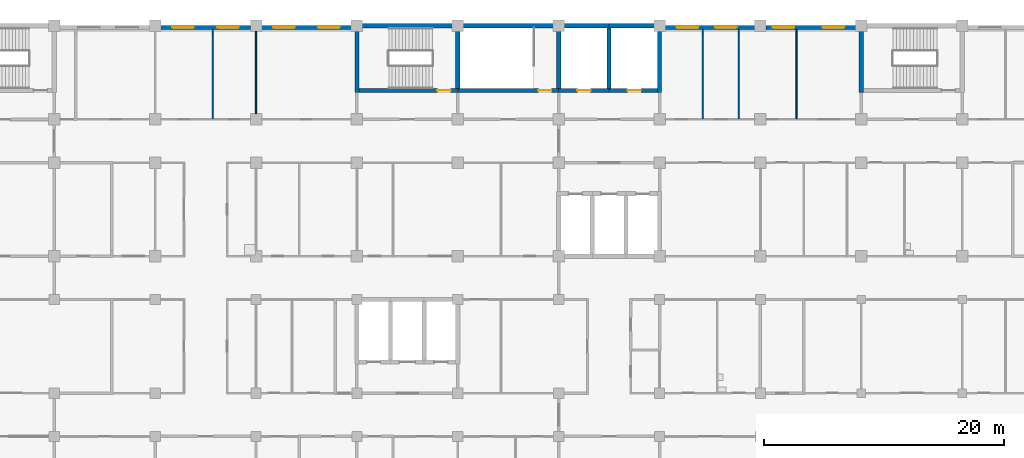
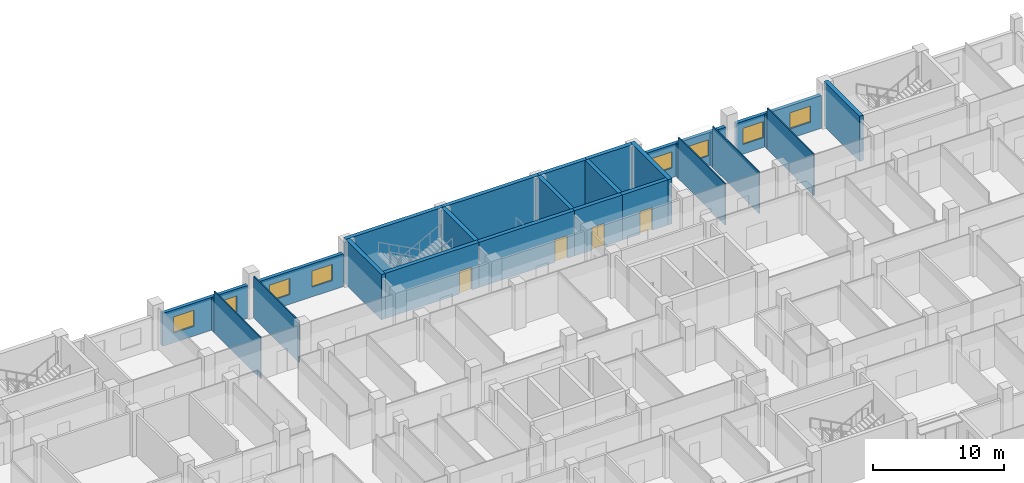
# One storey, part 74 of 109: 27 walls, 8 windows, 4 doors, 12 openings.
"""IFC4 building model written with IfcOpenShell, lengths in metres."""

from ifc_helpers import new_model, si_unit, direction, frame, frame_2d, origin, place, context, subcontext, project, spatial, rectangle, extrude, material, layer, layer_set, type_object, element, fill, save


model = new_model("IFC4")

# Units and contexts
model_context = context("Model", 3, precision=1e-05, world=origin(), true_north=direction((0.0, 1.0)))
body_context = subcontext(model_context, "Body", "Model", "MODEL_VIEW")
ifc_project = project(units=[si_unit("LENGTHUNIT", "METRE"), si_unit("AREAUNIT", "SQUARE_METRE"), si_unit("VOLUMEUNIT", "CUBIC_METRE"), si_unit("PLANEANGLEUNIT", "RADIAN"), si_unit("MASSUNIT", "GRAM", prefix="KILO")], contexts=[model_context])

# Site, building, storey
site_placement = place(None, origin())
site = spatial("IfcSite", under=ifc_project, at=site_placement, CompositionType="ELEMENT")
building_placement = place(site_placement, origin())
building = spatial("IfcBuilding", under=site, at=building_placement, Name="Bougainvillea Quay General Hospital", CompositionType="ELEMENT")
storey_placement = place(building_placement, frame((0.0, 0.0, 12.60009765625)))
storey = spatial("IfcBuildingStorey", under=building, at=storey_placement, Name="L02", CompositionType="ELEMENT", Elevation=12.60009765625)

# Wall, openings, windows
ifc_material_1 = material(Name="Pale stone rainscreen cladding on insulated masonry backing, pale stone", Category="masonry")
ifc_layer_1 = layer(ifc_material_1, 0.300048828125)
ifc_layer_set_1 = layer_set([ifc_layer_1], Name="Pale stone rainscreen cladding on insulated masonry backing, pale stone")
wall_type_1 = type_object("IfcWallType", Name="External wall pale stone rainscreen 300", PredefinedType="STANDARD", material=ifc_layer_set_1)
wall_1_placement = place(storey_placement, frame((175.949951171875, 159.449951171875, 0.0), z_axis=(0.0, 0.0, 1.0), x_axis=(-1.0, 0.0, 0.0)))
wall_1 = element("IfcWall", 1, at=wall_1_placement, inside=storey, type_object=wall_type_1, Name="External wall wall/V4/L02/p0/01b", PredefinedType="STANDARD", context=body_context, shape_type="SweptSolid", body=[
    extrude(rectangle(XDim=7.5, YDim=0.300048828125, at=frame_2d((3.75, 0.0))), origin(), (0.0, 0.0, 1.0), 3.0498046875),
])
opening_1_placement = place(wall_1_placement, frame((0.97509765625, 0.0, 0.89990234375)))
opening_1 = element("IfcOpeningElement", 2, at=opening_1_placement, cuts=wall_1, Name="Opening W1", PredefinedType="OPENING", context=body_context, shape_type="SweptSolid", body=[
    extrude(rectangle(XDim=1.800048828125, YDim=1.5, at=frame_2d((0.89990234375, 0.75))), frame((0.0, 0.159912109375, 0.0), z_axis=(0.0, -1.0, 0.0), x_axis=(1.0, 0.0, 0.0)), (0.0, 0.0, 1.0), 0.320068359375),
])
opening_2_placement = place(wall_1_placement, frame((5.125, 0.0, 0.89990234375)))
opening_2 = element("IfcOpeningElement", 3, at=opening_2_placement, cuts=wall_1, Name="Opening W1", PredefinedType="OPENING", context=body_context, shape_type="SweptSolid", body=[
    extrude(rectangle(XDim=1.800048828125, YDim=1.5, at=frame_2d((0.89990234375, 0.75))), frame((0.0, 0.159912109375, 0.0), z_axis=(0.0, -1.0, 0.0), x_axis=(1.0, 0.0, 0.0)), (0.0, 0.0, 1.0), 0.320068359375),
])
ifc_material_2 = material(Name="Aluminium window frame with low-e double glazed unit", Category="aluminium")
window_type = type_object("IfcWindowType", Name="Window W1 1800x1500", PartitioningType="DOUBLE_PANEL_VERTICAL", PredefinedType="WINDOW", material=ifc_material_2)
window_1_placement = place(opening_1_placement, origin())
window_1 = element("IfcWindow", 4, at=window_1_placement, inside=storey, type_object=window_type, Name="Window W1 1", OverallHeight=1.5, OverallWidth=1.800048828125, PartitioningType="SINGLE_PANEL", PredefinedType="WINDOW", context=body_context, shape_type="SweptSolid", body=[
    extrude(rectangle(XDim=1.800048828125, YDim=1.5, at=frame_2d((0.89990234375, 0.75))), frame((0.0, 0.030029296875, 0.0), z_axis=(0.0, -1.0, 0.0), x_axis=(1.0, 0.0, 0.0)), (0.0, 0.0, 1.0), 0.06005859375),
])
fill(opening_1, window_1)
window_2_placement = place(opening_2_placement, origin())
window_2 = element("IfcWindow", 5, at=window_2_placement, inside=storey, type_object=window_type, Name="Window W1 2", OverallHeight=1.5, OverallWidth=1.800048828125, PartitioningType="SINGLE_PANEL", PredefinedType="WINDOW", context=body_context, shape_type="SweptSolid", body=[
    extrude(rectangle(XDim=1.800048828125, YDim=1.5, at=frame_2d((0.89990234375, 0.75))), frame((0.0, 0.030029296875, 0.0), z_axis=(0.0, -1.0, 0.0), x_axis=(1.0, 0.0, 0.0)), (0.0, 0.0, 1.0), 0.06005859375),
])
fill(opening_2, window_2)

wall_2_placement = place(storey_placement, frame((167.550048828125, 159.449951171875, 0.0), z_axis=(0.0, 0.0, 1.0), x_axis=(-1.0, 0.0, 0.0)))
wall_2 = element("IfcWall", 6, at=wall_2_placement, inside=storey, type_object=wall_type_1, Name="External wall wall/V4/L02/p0/01c", PredefinedType="STANDARD", context=body_context, shape_type="SweptSolid", body=[
    extrude(rectangle(XDim=7.5, YDim=0.300048828125, at=frame_2d((3.75, 0.0))), origin(), (0.0, 0.0, 1.0), 3.0498046875),
])
opening_3_placement = place(wall_2_placement, frame((1.52490234375, 0.0, 0.89990234375)))
opening_3 = element("IfcOpeningElement", 7, at=opening_3_placement, cuts=wall_2, Name="Opening W1", PredefinedType="OPENING", context=body_context, shape_type="SweptSolid", body=[
    extrude(rectangle(XDim=1.800048828125, YDim=1.5, at=frame_2d((0.89990234375, 0.75))), frame((0.0, 0.159912109375, 0.0), z_axis=(0.0, -1.0, 0.0), x_axis=(1.0, 0.0, 0.0)), (0.0, 0.0, 1.0), 0.320068359375),
])
opening_4_placement = place(wall_2_placement, frame((4.72509765625, 0.0, 0.89990234375)))
opening_4 = element("IfcOpeningElement", 8, at=opening_4_placement, cuts=wall_2, Name="Opening W1", PredefinedType="OPENING", context=body_context, shape_type="SweptSolid", body=[
    extrude(rectangle(XDim=1.800048828125, YDim=1.5, at=frame_2d((0.89990234375, 0.75))), frame((0.0, 0.159912109375, 0.0), z_axis=(0.0, -1.0, 0.0), x_axis=(1.0, 0.0, 0.0)), (0.0, 0.0, 1.0), 0.320068359375),
])
window_3_placement = place(opening_3_placement, origin())
window_3 = element("IfcWindow", 9, at=window_3_placement, inside=storey, type_object=window_type, Name="Window W1 1", OverallHeight=1.5, OverallWidth=1.800048828125, PartitioningType="SINGLE_PANEL", PredefinedType="WINDOW", context=body_context, shape_type="SweptSolid", body=[
    extrude(rectangle(XDim=1.800048828125, YDim=1.5, at=frame_2d((0.89990234375, 0.75))), frame((0.0, 0.030029296875, 0.0), z_axis=(0.0, -1.0, 0.0), x_axis=(1.0, 0.0, 0.0)), (0.0, 0.0, 1.0), 0.06005859375),
])
fill(opening_3, window_3)
window_4_placement = place(opening_4_placement, origin())
window_4 = element("IfcWindow", 10, at=window_4_placement, inside=storey, type_object=window_type, Name="Window W1 2", OverallHeight=1.5, OverallWidth=1.800048828125, PartitioningType="SINGLE_PANEL", PredefinedType="WINDOW", context=body_context, shape_type="SweptSolid", body=[
    extrude(rectangle(XDim=1.800048828125, YDim=1.5, at=frame_2d((0.89990234375, 0.75))), frame((0.0, 0.030029296875, 0.0), z_axis=(0.0, -1.0, 0.0), x_axis=(1.0, 0.0, 0.0)), (0.0, 0.0, 1.0), 0.06005859375),
])
fill(opening_4, window_4)

wall_3_placement = place(storey_placement, frame((133.949951171875, 159.449951171875, 0.0), z_axis=(0.0, 0.0, 1.0), x_axis=(-1.0, 0.0, 0.0)))
wall_3 = element("IfcWall", 11, at=wall_3_placement, inside=storey, type_object=wall_type_1, Name="External wall wall/V4/L02/p0/05a", PredefinedType="STANDARD", context=body_context, shape_type="SweptSolid", body=[
    extrude(rectangle(XDim=7.5, YDim=0.300048828125, at=frame_2d((3.75, 0.0))), origin(), (0.0, 0.0, 1.0), 3.0498046875),
])
opening_5_placement = place(wall_3_placement, frame((0.97509765625, 0.0, 0.89990234375)))
opening_5 = element("IfcOpeningElement", 12, at=opening_5_placement, cuts=wall_3, Name="Opening W1", PredefinedType="OPENING", context=body_context, shape_type="SweptSolid", body=[
    extrude(rectangle(XDim=1.800048828125, YDim=1.5, at=frame_2d((0.89990234375, 0.75))), frame((0.0, 0.159912109375, 0.0), z_axis=(0.0, -1.0, 0.0), x_axis=(1.0, 0.0, 0.0)), (0.0, 0.0, 1.0), 0.320068359375),
])
opening_6_placement = place(wall_3_placement, frame((4.72509765625, 0.0, 0.89990234375)))
opening_6 = element("IfcOpeningElement", 13, at=opening_6_placement, cuts=wall_3, Name="Opening W1", PredefinedType="OPENING", context=body_context, shape_type="SweptSolid", body=[
    extrude(rectangle(XDim=1.800048828125, YDim=1.5, at=frame_2d((0.89990234375, 0.75))), frame((0.0, 0.159912109375, 0.0), z_axis=(0.0, -1.0, 0.0), x_axis=(1.0, 0.0, 0.0)), (0.0, 0.0, 1.0), 0.320068359375),
])
window_5_placement = place(opening_5_placement, origin())
window_5 = element("IfcWindow", 14, at=window_5_placement, inside=storey, type_object=window_type, Name="Window W1 1", OverallHeight=1.5, OverallWidth=1.800048828125, PartitioningType="SINGLE_PANEL", PredefinedType="WINDOW", context=body_context, shape_type="SweptSolid", body=[
    extrude(rectangle(XDim=1.800048828125, YDim=1.5, at=frame_2d((0.89990234375, 0.75))), frame((0.0, 0.030029296875, 0.0), z_axis=(0.0, -1.0, 0.0), x_axis=(1.0, 0.0, 0.0)), (0.0, 0.0, 1.0), 0.06005859375),
])
fill(opening_5, window_5)
window_6_placement = place(opening_6_placement, origin())
window_6 = element("IfcWindow", 15, at=window_6_placement, inside=storey, type_object=window_type, Name="Window W1 2", OverallHeight=1.5, OverallWidth=1.800048828125, PartitioningType="SINGLE_PANEL", PredefinedType="WINDOW", context=body_context, shape_type="SweptSolid", body=[
    extrude(rectangle(XDim=1.800048828125, YDim=1.5, at=frame_2d((0.89990234375, 0.75))), frame((0.0, 0.030029296875, 0.0), z_axis=(0.0, -1.0, 0.0), x_axis=(1.0, 0.0, 0.0)), (0.0, 0.0, 1.0), 0.06005859375),
])
fill(opening_6, window_6)

wall_4_placement = place(storey_placement, frame((125.550048828125, 159.449951171875, 0.0), z_axis=(0.0, 0.0, 1.0), x_axis=(-1.0, 0.0, 0.0)))
wall_4 = element("IfcWall", 16, at=wall_4_placement, inside=storey, type_object=wall_type_1, Name="External wall wall/V4/L02/p0/05b", PredefinedType="STANDARD", context=body_context, shape_type="SweptSolid", body=[
    extrude(rectangle(XDim=7.5, YDim=0.300048828125, at=frame_2d((3.75, 0.0))), origin(), (0.0, 0.0, 1.0), 3.0498046875),
])
opening_7_placement = place(wall_4_placement, frame((0.97509765625, 0.0, 0.89990234375)))
opening_7 = element("IfcOpeningElement", 17, at=opening_7_placement, cuts=wall_4, Name="Opening W1", PredefinedType="OPENING", context=body_context, shape_type="SweptSolid", body=[
    extrude(rectangle(XDim=1.800048828125, YDim=1.5, at=frame_2d((0.89990234375, 0.75))), frame((0.0, 0.159912109375, 0.0), z_axis=(0.0, -1.0, 0.0), x_axis=(1.0, 0.0, 0.0)), (0.0, 0.0, 1.0), 0.320068359375),
])
opening_8_placement = place(wall_4_placement, frame((4.72509765625, 0.0, 0.89990234375)))
opening_8 = element("IfcOpeningElement", 18, at=opening_8_placement, cuts=wall_4, Name="Opening W1", PredefinedType="OPENING", context=body_context, shape_type="SweptSolid", body=[
    extrude(rectangle(XDim=1.800048828125, YDim=1.5, at=frame_2d((0.89990234375, 0.75))), frame((0.0, 0.159912109375, 0.0), z_axis=(0.0, -1.0, 0.0), x_axis=(1.0, 0.0, 0.0)), (0.0, 0.0, 1.0), 0.320068359375),
])
window_7_placement = place(opening_7_placement, origin())
window_7 = element("IfcWindow", 19, at=window_7_placement, inside=storey, type_object=window_type, Name="Window W1 1", OverallHeight=1.5, OverallWidth=1.800048828125, PartitioningType="SINGLE_PANEL", PredefinedType="WINDOW", context=body_context, shape_type="SweptSolid", body=[
    extrude(rectangle(XDim=1.800048828125, YDim=1.5, at=frame_2d((0.89990234375, 0.75))), frame((0.0, 0.030029296875, 0.0), z_axis=(0.0, -1.0, 0.0), x_axis=(1.0, 0.0, 0.0)), (0.0, 0.0, 1.0), 0.06005859375),
])
fill(opening_7, window_7)
window_8_placement = place(opening_8_placement, origin())
window_8 = element("IfcWindow", 20, at=window_8_placement, inside=storey, type_object=window_type, Name="Window W1 2", OverallHeight=1.5, OverallWidth=1.800048828125, PartitioningType="SINGLE_PANEL", PredefinedType="WINDOW", context=body_context, shape_type="SweptSolid", body=[
    extrude(rectangle(XDim=1.800048828125, YDim=1.5, at=frame_2d((0.89990234375, 0.75))), frame((0.0, 0.030029296875, 0.0), z_axis=(0.0, -1.0, 0.0), x_axis=(1.0, 0.0, 0.0)), (0.0, 0.0, 1.0), 0.06005859375),
])
fill(opening_8, window_8)

# Walls
ifc_material_3 = material(Name="Gypsum board partition on steel studs", Category="steel")
ifc_layer_2 = layer(ifc_material_3, 0.10009765625)
ifc_layer_set_2 = layer_set([ifc_layer_2], Name="Gypsum board partition on steel studs")
wall_type_2 = type_object("IfcWallType", Name="Partition 100 Gypsum board partition", PredefinedType="PARTITIONING", material=ifc_layer_set_2)
wall_5_placement = place(storey_placement, frame((122.39990234375, 151.85009765625, 0.0), z_axis=(0.0, 0.0, 1.0), x_axis=(0.0, 1.0, 0.0)))
element("IfcWall", 21, at=wall_5_placement, inside=storey, type_object=wall_type_2, Name="Partition 100 mm", PredefinedType="PARTITIONING", context=body_context, shape_type="SweptSolid", body=[
    extrude(rectangle(XDim=7.099853515625, YDim=0.10009765625, at=frame_2d((3.5498046875, 0.0))), origin(), (0.0, 0.0, 1.0), 3.849853515625),
])
wall_6_placement = place(storey_placement, frame((122.39990234375, 158.949951171875, 0.0), z_axis=(0.0, 0.0, 1.0), x_axis=(0.0, 1.0, 0.0)))
element("IfcWall", 22, at=wall_6_placement, inside=storey, type_object=wall_type_2, Name="Partition 100 mm", PredefinedType="PARTITIONING", context=body_context, shape_type="SweptSolid", body=[
    extrude(rectangle(XDim=0.35009765625, YDim=0.10009765625, at=frame_2d((0.175048828125, 0.0))), origin(), (0.0, 0.0, 1.0), 3.079833984375),
])
wall_7_placement = place(storey_placement, frame((126.0, 152.25, 0.0), z_axis=(0.0, 0.0, 1.0), x_axis=(0.0, 1.0, 0.0)))
element("IfcWall", 23, at=wall_7_placement, inside=storey, type_object=wall_type_2, Name="Partition 100 mm", PredefinedType="PARTITIONING", context=body_context, shape_type="SweptSolid", body=[
    extrude(rectangle(XDim=6.89990234375, YDim=0.10009765625, at=frame_2d((3.449951171875, 0.0))), origin(), (0.0, 0.0, 1.0), 3.849853515625),
])
wall_8_placement = place(storey_placement, frame((163.199951171875, 151.85009765625, 0.0), z_axis=(0.0, 0.0, 1.0), x_axis=(0.0, 1.0, 0.0)))
element("IfcWall", 24, at=wall_8_placement, inside=storey, type_object=wall_type_2, Name="Partition 100 mm", PredefinedType="PARTITIONING", context=body_context, shape_type="SweptSolid", body=[
    extrude(rectangle(XDim=7.099853515625, YDim=0.10009765625, at=frame_2d((3.5498046875, 0.0))), origin(), (0.0, 0.0, 1.0), 3.849853515625),
])
wall_9_placement = place(storey_placement, frame((163.199951171875, 158.949951171875, 0.0), z_axis=(0.0, 0.0, 1.0), x_axis=(0.0, 1.0, 0.0)))
element("IfcWall", 25, at=wall_9_placement, inside=storey, type_object=wall_type_2, Name="Partition 100 mm", PredefinedType="PARTITIONING", context=body_context, shape_type="SweptSolid", body=[
    extrude(rectangle(XDim=0.35009765625, YDim=0.10009765625, at=frame_2d((0.175048828125, 0.0))), origin(), (0.0, 0.0, 1.0), 3.079833984375),
])
wall_10_placement = place(storey_placement, frame((166.199951171875, 151.85009765625, 0.0), z_axis=(0.0, 0.0, 1.0), x_axis=(0.0, 1.0, 0.0)))
element("IfcWall", 26, at=wall_10_placement, inside=storey, type_object=wall_type_2, Name="Partition 100 mm", PredefinedType="PARTITIONING", context=body_context, shape_type="SweptSolid", body=[
    extrude(rectangle(XDim=7.099853515625, YDim=0.10009765625, at=frame_2d((3.5498046875, 0.0))), origin(), (0.0, 0.0, 1.0), 3.849853515625),
])
wall_11_placement = place(storey_placement, frame((166.199951171875, 158.949951171875, 0.0), z_axis=(0.0, 0.0, 1.0), x_axis=(0.0, 1.0, 0.0)))
element("IfcWall", 27, at=wall_11_placement, inside=storey, type_object=wall_type_2, Name="Partition 100 mm", PredefinedType="PARTITIONING", context=body_context, shape_type="SweptSolid", body=[
    extrude(rectangle(XDim=0.35009765625, YDim=0.10009765625, at=frame_2d((0.175048828125, 0.0))), origin(), (0.0, 0.0, 1.0), 3.079833984375),
])
wall_12_placement = place(storey_placement, frame((171.0, 151.85009765625, 0.0), z_axis=(0.0, 0.0, 1.0), x_axis=(0.0, 1.0, 0.0)))
element("IfcWall", 28, at=wall_12_placement, inside=storey, type_object=wall_type_2, Name="Partition 100 mm", PredefinedType="PARTITIONING", context=body_context, shape_type="SweptSolid", body=[
    extrude(rectangle(XDim=7.099853515625, YDim=0.10009765625, at=frame_2d((3.5498046875, 0.0))), origin(), (0.0, 0.0, 1.0), 3.849853515625),
])
wall_13_placement = place(storey_placement, frame((171.0, 158.949951171875, 0.0), z_axis=(0.0, 0.0, 1.0), x_axis=(0.0, 1.0, 0.0)))
element("IfcWall", 29, at=wall_13_placement, inside=storey, type_object=wall_type_2, Name="Partition 100 mm", PredefinedType="PARTITIONING", context=body_context, shape_type="SweptSolid", body=[
    extrude(rectangle(XDim=0.35009765625, YDim=0.10009765625, at=frame_2d((0.175048828125, 0.0))), origin(), (0.0, 0.0, 1.0), 3.079833984375),
])
ifc_material_4 = material(Name="Concrete C40", Category="concrete")
ifc_layer_3 = layer(ifc_material_4, 0.35009765625)
ifc_layer_set_3 = layer_set([ifc_layer_3], Name="Concrete C40")
wall_type_3 = type_object("IfcWallType", Name="RC SHEAR WALL 350 C40", PredefinedType="SHEAR", material=ifc_layer_set_3)
wall_14_placement = place(storey_placement, frame((134.22509765625, 159.60009765625, 0.0), z_axis=(0.0, 0.0, 1.0), x_axis=(1.0, 0.0, 0.0)))
element("IfcWall", 30, at=wall_14_placement, inside=storey, type_object=wall_type_3, Name="Shear wall L02", PredefinedType="SHEAR", context=body_context, shape_type="SweptSolid", body=[
    extrude(rectangle(XDim=8.574951171875, YDim=0.35009765625, at=frame_2d((4.28759765625, 0.0))), origin(), (0.0, 0.0, 1.0), 4.199951171875),
])
wall_15_placement = place(storey_placement, frame((134.39990234375, 154.02490234375, 0.0), z_axis=(0.0, 0.0, 1.0), x_axis=(0.0, 1.0, 0.0)))
element("IfcWall", 31, at=wall_15_placement, inside=storey, type_object=wall_type_3, Name="Shear wall L02", PredefinedType="SHEAR", context=body_context, shape_type="SweptSolid", body=[
    extrude(rectangle(XDim=5.400146484375, YDim=0.35009765625, at=frame_2d((2.7001953125, 0.0))), origin(), (0.0, 0.0, 1.0), 4.199951171875),
])

# Wall, opening, door
wall_16_placement = place(storey_placement, frame((134.574951171875, 154.199951171875, 0.0), z_axis=(0.0, 0.0, 1.0), x_axis=(1.0, 0.0, 0.0)))
wall_16 = element("IfcWall", 32, at=wall_16_placement, inside=storey, type_object=wall_type_3, Name="Shear wall L02", PredefinedType="SHEAR", context=body_context, shape_type="SweptSolid", body=[
    extrude(rectangle(XDim=8.22509765625, YDim=0.35009765625, at=frame_2d((4.112548828125, 0.0))), origin(), (0.0, 0.0, 1.0), 4.199951171875),
])
opening_9_placement = place(wall_16_placement, frame((6.52490234375, 0.0, 0.0)))
opening_9 = element("IfcOpeningElement", 33, at=opening_9_placement, cuts=wall_16, Name="Opening L02.019", PredefinedType="OPENING", context=body_context, shape_type="SweptSolid", body=[
    extrude(rectangle(XDim=1.10009765625, YDim=2.10009765625, at=frame_2d((0.550048828125, 1.050048828125))), frame((0.0, 0.18505859375, 0.0), z_axis=(0.0, -1.0, 0.0), x_axis=(1.0, 0.0, 0.0)), (0.0, 0.0, 1.0), 0.3701171875),
])
ifc_material_5 = material(Name="Steel fire door leaf in steel frame", Category="steel")
door_type_1 = type_object("IfcDoorType", Name="Steel single leaf door 1100x2100 FD60", OperationType="NOTDEFINED", PredefinedType="DOOR", material=ifc_material_5)
door_1_placement = place(opening_9_placement, origin())
door_1 = element("IfcDoor", 34, at=door_1_placement, inside=storey, type_object=door_type_1, Name="DT04 L02.019", OperationType="SINGLE_SWING_RIGHT", OverallHeight=2.10009765625, OverallWidth=1.10009765625, PredefinedType="DOOR", context=body_context, shape_type="SweptSolid", body=[
    extrude(rectangle(XDim=1.10009765625, YDim=2.10009765625, at=frame_2d((0.550048828125, 1.050048828125))), frame((0.0, 0.02490234375, 0.0), z_axis=(0.0, -1.0, 0.0), x_axis=(1.0, 0.0, 0.0)), (0.0, 0.0, 1.0), 0.050048828125),
])
fill(opening_9, door_1)

wall_17_placement = place(storey_placement, frame((142.800048828125, 154.199951171875, 0.0), z_axis=(0.0, 0.0, 1.0), x_axis=(1.0, 0.0, 0.0)))
wall_17 = element("IfcWall", 35, at=wall_17_placement, inside=storey, type_object=wall_type_3, Name="Shear wall L02", PredefinedType="SHEAR", context=body_context, shape_type="SweptSolid", body=[
    extrude(rectangle(XDim=8.39990234375, YDim=0.35009765625, at=frame_2d((4.199951171875, 0.0))), origin(), (0.0, 0.0, 1.0), 4.199951171875),
])
opening_10_placement = place(wall_17_placement, frame((6.699951171875, 0.0, 0.0)))
opening_10 = element("IfcOpeningElement", 36, at=opening_10_placement, cuts=wall_17, Name="Opening L02.027", PredefinedType="OPENING", context=body_context, shape_type="SweptSolid", body=[
    extrude(rectangle(XDim=1.10009765625, YDim=2.10009765625, at=frame_2d((0.550048828125, 1.050048828125))), frame((0.0, 0.18505859375, 0.0), z_axis=(0.0, -1.0, 0.0), x_axis=(1.0, 0.0, 0.0)), (0.0, 0.0, 1.0), 0.3701171875),
])
door_2_placement = place(opening_10_placement, origin())
door_2 = element("IfcDoor", 37, at=door_2_placement, inside=storey, type_object=door_type_1, Name="DT04 L02.027", OperationType="SINGLE_SWING_RIGHT", OverallHeight=2.10009765625, OverallWidth=1.10009765625, PredefinedType="DOOR", context=body_context, shape_type="SweptSolid", body=[
    extrude(rectangle(XDim=1.10009765625, YDim=2.10009765625, at=frame_2d((0.550048828125, 1.050048828125))), frame((0.0, 0.02490234375, 0.0), z_axis=(0.0, -1.0, 0.0), x_axis=(1.0, 0.0, 0.0)), (0.0, 0.0, 1.0), 0.050048828125),
])
fill(opening_10, door_2)

# Walls
wall_18_placement = place(storey_placement, frame((142.800048828125, 154.375, 0.0), z_axis=(0.0, 0.0, 1.0), x_axis=(0.0, 1.0, 0.0)))
element("IfcWall", 38, at=wall_18_placement, inside=storey, type_object=wall_type_3, Name="Shear wall L02", PredefinedType="SHEAR", context=body_context, shape_type="SweptSolid", body=[
    extrude(rectangle(XDim=5.050048828125, YDim=0.35009765625, at=frame_2d((2.52490234375, 0.0))), origin(), (0.0, 0.0, 1.0), 4.199951171875),
])
wall_19_placement = place(storey_placement, frame((142.800048828125, 159.60009765625, 0.0), z_axis=(0.0, 0.0, 1.0), x_axis=(1.0, 0.0, 0.0)))
element("IfcWall", 39, at=wall_19_placement, inside=storey, type_object=wall_type_3, Name="Shear wall L02", PredefinedType="SHEAR", context=body_context, shape_type="SweptSolid", body=[
    extrude(rectangle(XDim=8.39990234375, YDim=0.35009765625, at=frame_2d((4.199951171875, 0.0))), origin(), (0.0, 0.0, 1.0), 4.199951171875),
])

# Wall, opening, door
wall_20_placement = place(storey_placement, frame((151.199951171875, 154.199951171875, 0.0), z_axis=(0.0, 0.0, 1.0), x_axis=(1.0, 0.0, 0.0)))
wall_20 = element("IfcWall", 40, at=wall_20_placement, inside=storey, type_object=wall_type_3, Name="Shear wall L02", PredefinedType="SHEAR", context=body_context, shape_type="SweptSolid", body=[
    extrude(rectangle(XDim=4.199951171875, YDim=0.35009765625, at=frame_2d((2.10009765625, 0.0))), origin(), (0.0, 0.0, 1.0), 4.199951171875),
])
opening_11_placement = place(wall_20_placement, frame((1.550048828125, 0.0, 0.0)))
opening_11 = element("IfcOpeningElement", 41, at=opening_11_placement, cuts=wall_20, Name="Opening LD-S1.1-L02", PredefinedType="OPENING", context=body_context, shape_type="SweptSolid", body=[
    extrude(rectangle(XDim=1.10009765625, YDim=2.10009765625, at=frame_2d((0.550048828125, 1.050048828125))), frame((0.0, 0.18505859375, 0.0), z_axis=(0.0, -1.0, 0.0), x_axis=(1.0, 0.0, 0.0)), (0.0, 0.0, 1.0), 0.3701171875),
])
ifc_material_6 = material(Name="Stainless steel centre-opening landing door", Category="steel")
door_type_2 = type_object("IfcDoorType", Name="Lift landing door 1100x2100 E 120", OperationType="DOUBLE_DOOR_SLIDING", PredefinedType="DOOR", material=ifc_material_6)
door_3_placement = place(opening_11_placement, origin())
door_3 = element("IfcDoor", 42, at=door_3_placement, inside=storey, type_object=door_type_2, Name="Lift landing door LB-S1-1 L02", OperationType="DOUBLE_DOOR_SLIDING", OverallHeight=2.10009765625, OverallWidth=1.10009765625, PredefinedType="DOOR", context=body_context, shape_type="SweptSolid", body=[
    extrude(rectangle(XDim=1.10009765625, YDim=2.10009765625, at=frame_2d((0.550048828125, 1.050048828125))), frame((0.0, 0.02490234375, 0.0), z_axis=(0.0, -1.0, 0.0), x_axis=(1.0, 0.0, 0.0)), (0.0, 0.0, 1.0), 0.050048828125),
])
fill(opening_11, door_3)

# Walls
wall_21_placement = place(storey_placement, frame((151.199951171875, 154.375, 0.0), z_axis=(0.0, 0.0, 1.0), x_axis=(0.0, 1.0, 0.0)))
element("IfcWall", 43, at=wall_21_placement, inside=storey, type_object=wall_type_3, Name="Shear wall L02", PredefinedType="SHEAR", context=body_context, shape_type="SweptSolid", body=[
    extrude(rectangle(XDim=5.050048828125, YDim=0.35009765625, at=frame_2d((2.52490234375, 0.0))), origin(), (0.0, 0.0, 1.0), 4.199951171875),
])
wall_22_placement = place(storey_placement, frame((151.199951171875, 159.60009765625, 0.0), z_axis=(0.0, 0.0, 1.0), x_axis=(1.0, 0.0, 0.0)))
element("IfcWall", 44, at=wall_22_placement, inside=storey, type_object=wall_type_3, Name="Shear wall L02", PredefinedType="SHEAR", context=body_context, shape_type="SweptSolid", body=[
    extrude(rectangle(XDim=4.199951171875, YDim=0.35009765625, at=frame_2d((2.10009765625, 0.0))), origin(), (0.0, 0.0, 1.0), 4.199951171875),
])

# Wall, opening, door
wall_23_placement = place(storey_placement, frame((155.39990234375, 154.199951171875, 0.0), z_axis=(0.0, 0.0, 1.0), x_axis=(1.0, 0.0, 0.0)))
wall_23 = element("IfcWall", 45, at=wall_23_placement, inside=storey, type_object=wall_type_3, Name="Shear wall L02", PredefinedType="SHEAR", context=body_context, shape_type="SweptSolid", body=[
    extrude(rectangle(XDim=4.025146484375, YDim=0.35009765625, at=frame_2d((2.0126953125, 0.0))), origin(), (0.0, 0.0, 1.0), 4.199951171875),
])
opening_12_placement = place(wall_23_placement, frame((1.550048828125, 0.0, 0.0)))
opening_12 = element("IfcOpeningElement", 46, at=opening_12_placement, cuts=wall_23, Name="Opening LD-S1.2-L02", PredefinedType="OPENING", context=body_context, shape_type="SweptSolid", body=[
    extrude(rectangle(XDim=1.10009765625, YDim=2.10009765625, at=frame_2d((0.550048828125, 1.050048828125))), frame((0.0, 0.18505859375, 0.0), z_axis=(0.0, -1.0, 0.0), x_axis=(1.0, 0.0, 0.0)), (0.0, 0.0, 1.0), 0.3701171875),
])
door_4_placement = place(opening_12_placement, origin())
door_4 = element("IfcDoor", 47, at=door_4_placement, inside=storey, type_object=door_type_2, Name="Lift landing door LB-S1-2 L02", OperationType="DOUBLE_DOOR_SLIDING", OverallHeight=2.10009765625, OverallWidth=1.10009765625, PredefinedType="DOOR", context=body_context, shape_type="SweptSolid", body=[
    extrude(rectangle(XDim=1.10009765625, YDim=2.10009765625, at=frame_2d((0.550048828125, 1.050048828125))), frame((0.0, 0.02490234375, 0.0), z_axis=(0.0, -1.0, 0.0), x_axis=(1.0, 0.0, 0.0)), (0.0, 0.0, 1.0), 0.050048828125),
])
fill(opening_12, door_4)

# Walls
wall_24_placement = place(storey_placement, frame((155.39990234375, 154.375, 0.0), z_axis=(0.0, 0.0, 1.0), x_axis=(0.0, 1.0, 0.0)))
element("IfcWall", 48, at=wall_24_placement, inside=storey, type_object=wall_type_3, Name="Shear wall L02", PredefinedType="SHEAR", context=body_context, shape_type="SweptSolid", body=[
    extrude(rectangle(XDim=5.050048828125, YDim=0.35009765625, at=frame_2d((2.52490234375, 0.0))), origin(), (0.0, 0.0, 1.0), 4.199951171875),
])
wall_25_placement = place(storey_placement, frame((155.39990234375, 159.60009765625, 0.0), z_axis=(0.0, 0.0, 1.0), x_axis=(1.0, 0.0, 0.0)))
element("IfcWall", 49, at=wall_25_placement, inside=storey, type_object=wall_type_3, Name="Shear wall L02", PredefinedType="SHEAR", context=body_context, shape_type="SweptSolid", body=[
    extrude(rectangle(XDim=4.025146484375, YDim=0.35009765625, at=frame_2d((2.0126953125, 0.0))), origin(), (0.0, 0.0, 1.0), 4.199951171875),
])
wall_26_placement = place(storey_placement, frame((159.60009765625, 154.02490234375, 0.0), z_axis=(0.0, 0.0, 1.0), x_axis=(0.0, 1.0, 0.0)))
element("IfcWall", 50, at=wall_26_placement, inside=storey, type_object=wall_type_3, Name="Shear wall L02", PredefinedType="SHEAR", context=body_context, shape_type="SweptSolid", body=[
    extrude(rectangle(XDim=5.75, YDim=0.35009765625, at=frame_2d((2.875, 0.0))), origin(), (0.0, 0.0, 1.0), 4.199951171875),
])
wall_27_placement = place(storey_placement, frame((176.39990234375, 154.02490234375, 0.0), z_axis=(0.0, 0.0, 1.0), x_axis=(0.0, 1.0, 0.0)))
element("IfcWall", 51, at=wall_27_placement, inside=storey, type_object=wall_type_3, Name="Shear wall L02", PredefinedType="SHEAR", context=body_context, shape_type="SweptSolid", body=[
    extrude(rectangle(XDim=5.400146484375, YDim=0.35009765625, at=frame_2d((2.7001953125, 0.0))), origin(), (0.0, 0.0, 1.0), 4.199951171875),
])

save(model, "model.ifc")
